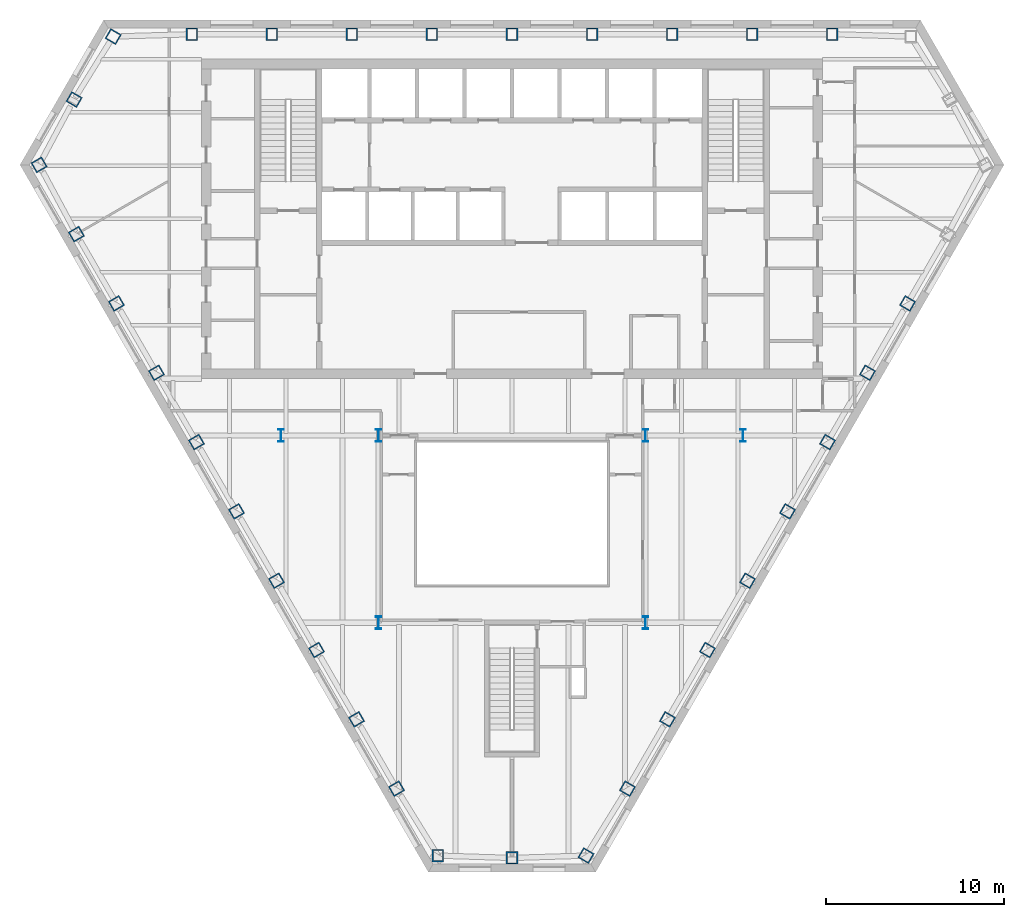
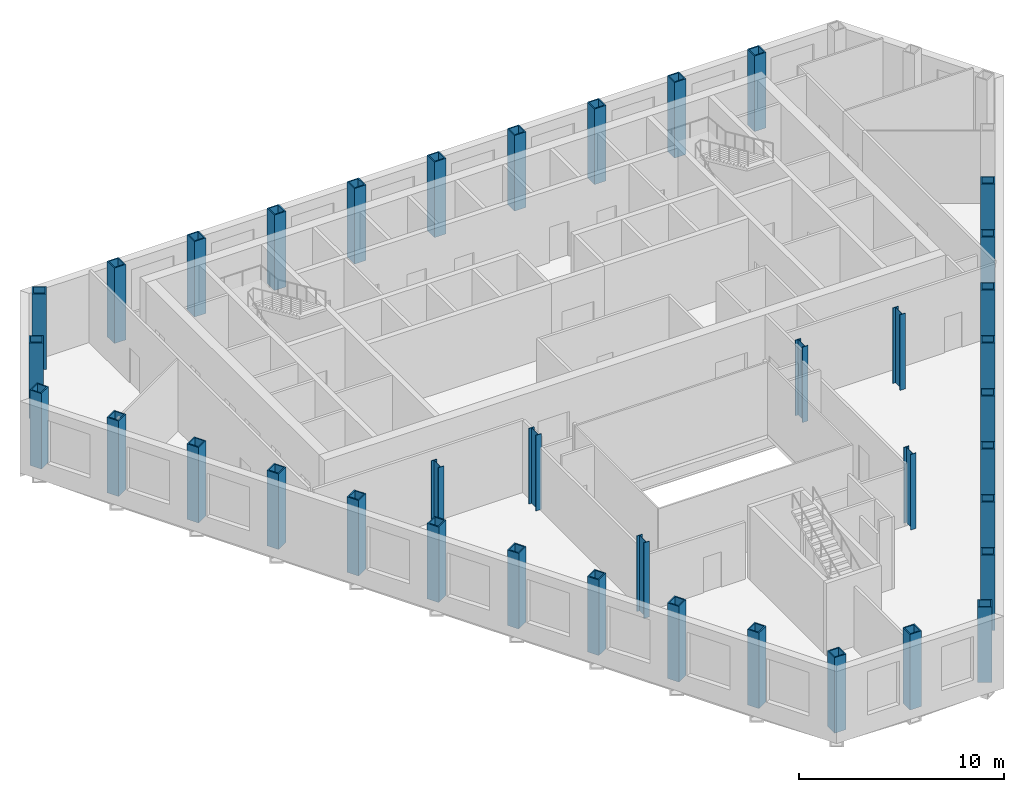
# One storey, part 1 of 11: 38 columns.
"""IFC4 building model written with IfcOpenShell, lengths in metres."""

import ifcopenshell
import ifcopenshell.guid

model = None  # the IFC model being written
_history = None  # IfcOwnerHistory: only IFC2X3 demands one
_inside = {}  # id of a spatial element -> (the spatial element, [elements in it])
_under = {}  # id of a project, library or spatial element -> (it, [spatial elements below it])
_declared = {}  # id of a project -> (the project, [libraries it declares])
_typed = {}  # id of a type object -> (the type object, [elements of that type])
_made_of = {}  # id of a material, layer set ... -> (it, [elements and type objects made of it])


def new_model(schema):
    """Start an empty IFC model of exactly this schema.

    Asked for "IFC4X3", IfcOpenShell would pick the latest addendum, in which some entities
    have other attributes; the version numbers below select the first issue.
    IFC2X3 requires an IfcOwnerHistory on every rooted entity: one is made here for all.
    """
    global model, _history
    if schema == "IFC4X3":
        model = ifcopenshell.file(schema_version=(4, 3, 0, 0))
    else:
        model = ifcopenshell.file(schema=schema)
    _inside.clear()
    _under.clear()
    _declared.clear()
    _typed.clear()
    _made_of.clear()
    _history = None
    if model.schema == "IFC2X3":
        org = make("IfcOrganization", Name="unknown")
        user = make(
            "IfcPersonAndOrganization",
            ThePerson=make("IfcPerson", FamilyName="unknown"),
            TheOrganization=org,
        )
        app = make(
            "IfcApplication",
            ApplicationDeveloper=org,
            Version="unknown",
            ApplicationFullName="unknown",
            ApplicationIdentifier="unknown",
        )
        _history = make(
            "IfcOwnerHistory",
            OwningUser=user,
            OwningApplication=app,
            ChangeAction="ADDED",
            CreationDate=0,
        )
    return model


def make(cls, **values):
    """One entity of the class cls with the attributes given. An attribute that is None is left unset."""
    return model.create_entity(
        cls, **{name: value for name, value in values.items() if value is not None}
    )


def rooted(cls, **values):
    """An entity with a GlobalId (a new one), such as an element, a storey or a relation."""
    return make(cls, GlobalId=ifcopenshell.guid.new(), OwnerHistory=_history, **values)


def si_unit(unit_type, name, prefix=None):
    """IfcSIUnit, for example si_unit("LENGTHUNIT", "METRE", prefix="MILLI")."""
    return make("IfcSIUnit", UnitType=unit_type, Prefix=prefix, Name=name)


def assignment(units):
    """IfcUnitAssignment: the units of a project."""
    return None if units is None else make("IfcUnitAssignment", Units=units)


def point(xyz):
    """IfcCartesianPoint."""
    return None if xyz is None else make("IfcCartesianPoint", Coordinates=xyz)


def direction(xyz):
    """IfcDirection."""
    return None if xyz is None else make("IfcDirection", DirectionRatios=xyz)


def frame(location, z_axis=None, x_axis=None):
    """IfcAxis2Placement3D, a coordinate frame: its origin and axes. An axis left out is left unset."""
    return make(
        "IfcAxis2Placement3D",
        Location=point(location),
        Axis=direction(z_axis),
        RefDirection=direction(x_axis),
    )


def frame_2d(location, x_axis=None):
    """IfcAxis2Placement2D, a coordinate frame in the plane: its origin and x axis."""
    return make(
        "IfcAxis2Placement2D", Location=point(location), RefDirection=direction(x_axis)
    )


def origin():
    """The frame at (0, 0, 0) with its axes left unset."""
    return frame((0.0, 0.0, 0.0))


def origin_2d():
    """The frame at (0, 0) in the plane with its x axis left unset."""
    return frame_2d((0.0, 0.0))


def place(relative_to, where):
    """IfcLocalPlacement: puts the frame where relative to a parent placement (None: the world)."""
    return make(
        "IfcLocalPlacement", PlacementRelTo=relative_to, RelativePlacement=where
    )


def context(
    kind, dimensions, precision=None, world=None, true_north=None, identifier=None
):
    """IfcGeometricRepresentationContext, for example the 3D "Model" context."""
    return make(
        "IfcGeometricRepresentationContext",
        ContextIdentifier=identifier,
        ContextType=kind,
        CoordinateSpaceDimension=dimensions,
        Precision=precision,
        WorldCoordinateSystem=world,
        TrueNorth=true_north,
    )


def subcontext(parent, identifier, kind, view, scale=None):
    """IfcGeometricRepresentationSubContext, for example "Body" below "Model"."""
    return make(
        "IfcGeometricRepresentationSubContext",
        ContextIdentifier=identifier,
        ContextType=kind,
        ParentContext=parent,
        TargetScale=scale,
        TargetView=view,
    )


def project(units=None, contexts=None):
    """IfcProject with its units and contexts."""
    return rooted(
        "IfcProject",
        Name="project",
        RepresentationContexts=contexts,
        UnitsInContext=assignment(units),
    )


def spatial(cls, under=None, at=None, **own):
    """A site, building, storey or space (cls), placed at a placement, below another one or the project."""
    s = rooted(cls, ObjectPlacement=at, **own)
    if under is not None:
        _under.setdefault(under.id(), (under, []))[1].append(s)
    return s


def profile(cls, at=None, kind="AREA", **sizes):
    """A parametric profile (cls). Its sizes go by their IFC names, for example OverallWidth=200.0."""
    return make(cls, ProfileType=kind, Position=at, **sizes)


def hollow_rectangle(**sizes):
    """IfcRectangleHollowProfileDef."""
    return profile("IfcRectangleHollowProfileDef", **sizes)


def i_section(**sizes):
    """IfcIShapeProfileDef."""
    return profile("IfcIShapeProfileDef", **sizes)


def extrude(swept, where, along, depth):
    """IfcExtrudedAreaSolid: the profile swept, set in the frame where, extruded along a direction by depth."""
    return make(
        "IfcExtrudedAreaSolid",
        SweptArea=swept,
        Position=where,
        ExtrudedDirection=direction(along),
        Depth=depth,
    )


def shape(context_of_items, identifier, shape_type, items):
    """IfcShapeRepresentation: the items that make up one representation, for example the "Body"."""
    return make(
        "IfcShapeRepresentation",
        ContextOfItems=context_of_items,
        RepresentationIdentifier=identifier,
        RepresentationType=shape_type,
        Items=items,
    )


def material(Name=None, Category=None):
    """IfcMaterial."""
    return make("IfcMaterial", Name=Name, Category=Category)


def material_profile(
    of_material, cross_section, Name=None, Category=None, Priority=None
):
    """IfcMaterialProfile: a cross section and its material."""
    return make(
        "IfcMaterialProfile",
        Name=Name,
        Material=of_material,
        Profile=cross_section,
        Priority=Priority,
        Category=Category,
    )


def profile_set(profiles, Name=None, composite=None):
    """IfcMaterialProfileSet."""
    return make(
        "IfcMaterialProfileSet",
        Name=Name,
        MaterialProfiles=profiles,
        CompositeProfile=composite,
    )


def made_of(thing, what):
    """Note that an element or type object is made of a material, layer set ...; save() writes the relation."""
    if what is not None:
        _made_of.setdefault(what.id(), (what, []))[1].append(thing)
    return thing


def type_object(cls, material=None, **own):
    """A type object (cls), such as IfcWallType, which elements share."""
    return made_of(rooted(cls, **own), material)


def element(
    cls,
    number,
    at=None,
    inside=None,
    cuts=None,
    type_object=None,
    material=None,
    context=None,
    identifier="Body",
    shape_type=None,
    held_by="IfcProductDefinitionShape",
    body=None,
    shapes=None,
    **own,
):
    """One element of the class cls, such as IfcWall. Its Tag is "e" and its number.

    at: its placement. inside: the storey or other place that contains it. cuts: it is an
    opening in that element (IfcRelVoidsElement). A single representation is given by context,
    identifier, shape_type and body (its items); several are given by shapes. held_by: the class
    of the entity that holds the representations. save() writes the other relations.
    """
    e = rooted(cls, Tag="e%d" % number, ObjectPlacement=at, **own)
    if body is not None:
        shapes = [shape(context, identifier, shape_type, body)]
    if shapes is not None:
        e.Representation = make(held_by, Representations=shapes)
    if inside is not None:
        _inside.setdefault(inside.id(), (inside, []))[1].append(e)
    if cuts is not None:
        rooted(
            "IfcRelVoidsElement", RelatingBuildingElement=cuts, RelatedOpeningElement=e
        )
    if type_object is not None:
        _typed.setdefault(type_object.id(), (type_object, []))[1].append(e)
    return made_of(e, material)


def aggregate(whole, parts):
    """IfcRelAggregates: a whole, such as a stair, and the parts it consists of."""
    return rooted("IfcRelAggregates", RelatingObject=whole, RelatedObjects=parts)


def save(model, path):
    """Write the relations noted so far, then the file.

    IfcRelAggregates (storeys below a building ...), IfcRelContainedInSpatialStructure (elements
    in a storey), IfcRelDefinesByType, IfcRelAssociatesMaterial and IfcRelDeclares: one each for
    every whole, place, type object, material and project.
    """
    for whole, parts in _under.values():
        aggregate(whole, parts)
    for where, things in _inside.values():
        rooted(
            "IfcRelContainedInSpatialStructure",
            RelatedElements=things,
            RelatingStructure=where,
        )
    for kind, things in _typed.values():
        rooted("IfcRelDefinesByType", RelatedObjects=things, RelatingType=kind)
    for what, things in _made_of.values():
        rooted("IfcRelAssociatesMaterial", RelatedObjects=things, RelatingMaterial=what)
    for by, libraries in _declared.values():
        rooted("IfcRelDeclares", RelatingContext=by, RelatedDefinitions=libraries)
    model.write(path)


model = new_model("IFC4")

# Units and contexts
model_context = context("Model", 3, precision=1e-05, world=origin(), true_north=direction((0.0, 1.0)))
body_context = subcontext(model_context, "Body", "Model", "MODEL_VIEW")
ifc_project = project(units=[si_unit("LENGTHUNIT", "METRE"), si_unit("AREAUNIT", "SQUARE_METRE"), si_unit("VOLUMEUNIT", "CUBIC_METRE"), si_unit("PLANEANGLEUNIT", "RADIAN"), si_unit("MASSUNIT", "GRAM", prefix="KILO")], contexts=[model_context])

# Site, building, storey
site_placement = place(None, origin())
site = spatial("IfcSite", under=ifc_project, at=site_placement, CompositionType="ELEMENT")
building_placement = place(site_placement, origin())
building = spatial("IfcBuilding", under=site, at=building_placement, Name="Njiva Tower", CompositionType="ELEMENT")
storey_placement = place(building_placement, frame((0.0, 0.0, 124.8)))
storey = spatial("IfcBuildingStorey", under=building, at=storey_placement, Name="L26", CompositionType="ELEMENT", Elevation=124.8)

# Columns
ifc_material = material(Name="Steel S355 J2", Category="steel")
ifc_material_profile_1 = material_profile(ifc_material, hollow_rectangle(XDim=0.65, YDim=0.7, WallThickness=0.065, at=origin_2d()), Name="BOX 700x650x65")
ifc_profile_set_1 = profile_set([ifc_material_profile_1], Name="Steel S355 J2")
column_type_1 = type_object("IfcColumnType", Name="C7 Perimeter tube column BOX 700x650x65", PredefinedType="COLUMN", material=ifc_profile_set_1)
for number, where, z_axis, x_axis, name in (
    (1, (18.03, 19.4, 0.0), (0.0, 0.0, 1.0), (-1.0, 0.0, 0.0), "Perimeter tube column S09-C02"),
    (2, (13.523, 19.4, 0.0), (0.0, 0.0, 1.0), (-1.0, 0.0, 0.0), "Perimeter tube column S09-C03"),
    (3, (9.015, 19.4, 0.0), (0.0, 0.0, 1.0), (-1.0, 0.0, 0.0), "Perimeter tube column S09-C04"),
    (4, (4.508, 19.4, 0.0), (0.0, 0.0, 1.0), (-1.0, 0.0, 0.0), "Perimeter tube column S09-C05"),
    (5, (0.0, 19.4, 0.0), (0.0, 0.0, 1.0), (-1.0, 0.0, 0.0), "Perimeter tube column S09-C06"),
    (6, (-4.508, 19.4, 0.0), (0.0, 0.0, 1.0), (-1.0, 0.0, 0.0), "Perimeter tube column S09-C07"),
    (7, (-9.015, 19.4, 0.0), (0.0, 0.0, 1.0), (-1.0, 0.0, 0.0), "Perimeter tube column S09-C08"),
    (8, (-13.523, 19.4, 0.0), (0.0, 0.0, 1.0), (-1.0, 0.0, 0.0), "Perimeter tube column S09-C09"),
    (9, (-18.03, 19.4, 0.0), (0.0, 0.0, 1.0), (-1.0, 0.0, 0.0), "Perimeter tube column S09-C10"),
    (10, (-22.461, 19.267, 0.0), (0.0, 0.0, 1.0), (-0.5, -0.866025403784, 0.0), "Perimeter tube column S09-C11"),
    (11, (-24.662, 15.721, 0.0), (0.0, 0.0, 1.0), (-0.5, -0.866025403784, 0.0), "Perimeter tube column S09-C12"),
    (12, (-26.633, 12.042, 0.0), (0.0, 0.0, 1.0), (0.5, -0.866025403784, 0.0), "Perimeter tube column S09-C13"),
    (13, (-24.532, 8.138, 0.0), (0.0, 0.0, 1.0), (0.5, -0.866025403784, 0.0), "Perimeter tube column S09-C14"),
    (14, (-22.279, 4.235, 0.0), (0.0, 0.0, 1.0), (0.5, -0.866025403784, 0.0), "Perimeter tube column S09-C15"),
    (15, (-20.025, 0.331, 0.0), (0.0, 0.0, 1.0), (0.5, -0.866025403784, 0.0), "Perimeter tube column S09-C16"),
    (16, (-17.771, -3.573, 0.0), (0.0, 0.0, 1.0), (0.5, -0.866025403784, 0.0), "Perimeter tube column S09-C17"),
    (17, (-15.517, -7.477, 0.0), (0.0, 0.0, 1.0), (0.5, -0.866025403784, 0.0), "Perimeter tube column S09-C18"),
    (18, (-13.263, -11.38, 0.0), (0.0, 0.0, 1.0), (0.5, -0.866025403784, 0.0), "Perimeter tube column S09-C19"),
    (19, (-11.01, -15.284, 0.0), (0.0, 0.0, 1.0), (0.5, -0.866025403784, 0.0), "Perimeter tube column S09-C20"),
    (20, (-8.756, -19.188, 0.0), (0.0, 0.0, 1.0), (0.5, -0.866025403784, 0.0), "Perimeter tube column S09-C21"),
    (21, (-6.502, -23.091, 0.0), (0.0, 0.0, 1.0), (0.5, -0.866025403784, 0.0), "Perimeter tube column S09-C22"),
    (22, (-4.171, -26.862, 0.0), (0.0, 0.0, 1.0), (1.0, 0.0, 0.0), "Perimeter tube column S09-C23"),
    (23, (0.0, -26.995, 0.0), (0.0, 0.0, 1.0), (1.0, 0.0, 0.0), "Perimeter tube column S09-C24"),
    (24, (4.171, -26.862, 0.0), (0.0, 0.0, 1.0), (0.5, 0.866025403784, 0.0), "Perimeter tube column S09-C25"),
    (25, (6.502, -23.091, 0.0), (0.0, 0.0, 1.0), (0.5, 0.866025403784, 0.0), "Perimeter tube column S09-C26"),
    (26, (8.756, -19.188, 0.0), (0.0, 0.0, 1.0), (0.5, 0.866025403784, 0.0), "Perimeter tube column S09-C27"),
    (27, (11.01, -15.284, 0.0), (0.0, 0.0, 1.0), (0.5, 0.866025403784, 0.0), "Perimeter tube column S09-C28"),
    (28, (13.263, -11.38, 0.0), (0.0, 0.0, 1.0), (0.5, 0.866025403784, 0.0), "Perimeter tube column S09-C29"),
    (29, (15.517, -7.477, 0.0), (0.0, 0.0, 1.0), (0.5, 0.866025403784, 0.0), "Perimeter tube column S09-C30"),
    (30, (17.771, -3.573, 0.0), (0.0, 0.0, 1.0), (0.5, 0.866025403784, 0.0), "Perimeter tube column S09-C31"),
    (31, (20.025, 0.331, 0.0), (0.0, 0.0, 1.0), (0.5, 0.866025403784, 0.0), "Perimeter tube column S09-C32"),
    (32, (22.279, 4.235, 0.0), (0.0, 0.0, 1.0), (0.5, 0.866025403784, 0.0), "Perimeter tube column S09-C33"),
):
    element("IfcColumn", number, at=place(storey_placement, frame(where, z_axis=z_axis, x_axis=x_axis)), inside=storey, type_object=column_type_1, Name=name, PredefinedType="COLUMN", context=body_context, shape_type="SweptSolid", body=[
        extrude(hollow_rectangle(XDim=0.65, YDim=0.7, WallThickness=0.065, at=origin_2d()), origin(), (0.0, 0.0, 1.0), 4.5),
    ])
ifc_material_profile_2 = material_profile(ifc_material, i_section(OverallWidth=0.304, OverallDepth=0.716, WebThickness=0.021, FlangeThickness=0.04, at=origin_2d()), Name="HEM 700")
ifc_profile_set_2 = profile_set([ifc_material_profile_2], Name="Steel S355 J2")
column_type_2 = type_object("IfcColumnType", Name="C8 Interior column HEM 700", PredefinedType="COLUMN", material=ifc_profile_set_2)
for number, where, z_axis, x_axis, name in (
    (33, (7.51, -3.2, 0.0), (0.0, 0.0, 1.0), (1.0, 0.0, 0.0), "Interior column S09-C37"),
    (34, (-7.51, -3.2, 0.0), (0.0, 0.0, 1.0), (1.0, 0.0, 0.0), "Interior column S09-C38"),
    (35, (7.51, -13.75, 0.0), (0.0, 0.0, 1.0), (1.0, 0.0, 0.0), "Interior column S09-C39"),
    (36, (-7.51, -13.75, 0.0), (0.0, 0.0, 1.0), (1.0, 0.0, 0.0), "Interior column S09-C40"),
    (37, (13.0, -3.2, 0.0), (0.0, 0.0, 1.0), (1.0, 0.0, 0.0), "Interior column S09-C41"),
    (38, (-13.0, -3.2, 0.0), (0.0, 0.0, 1.0), (1.0, 0.0, 0.0), "Interior column S09-C42"),
):
    element("IfcColumn", number, at=place(storey_placement, frame(where, z_axis=z_axis, x_axis=x_axis)), inside=storey, type_object=column_type_2, Name=name, PredefinedType="COLUMN", context=body_context, shape_type="SweptSolid", body=[
        extrude(i_section(OverallWidth=0.304, OverallDepth=0.716, WebThickness=0.021, FlangeThickness=0.04, at=origin_2d()), origin(), (0.0, 0.0, 1.0), 4.5),
    ])

save(model, "model.ifc")
